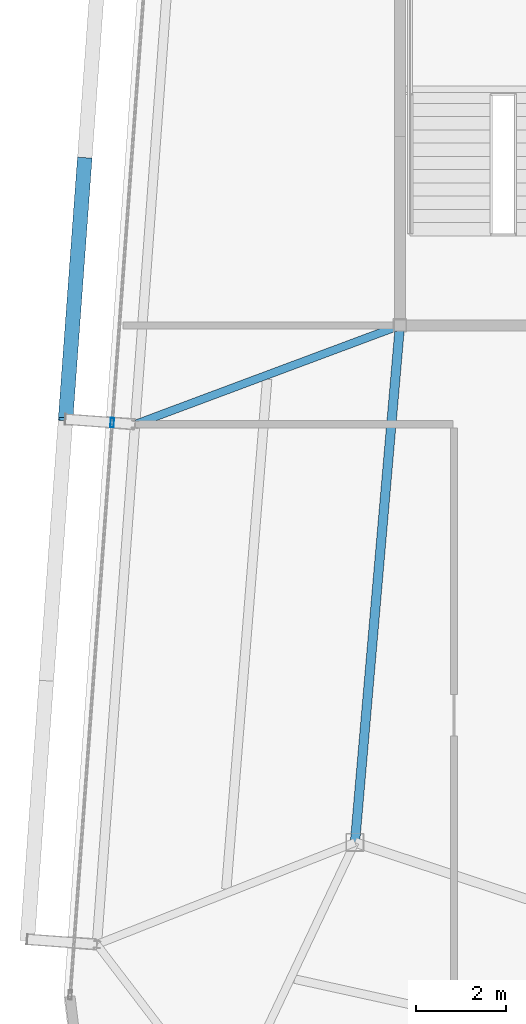
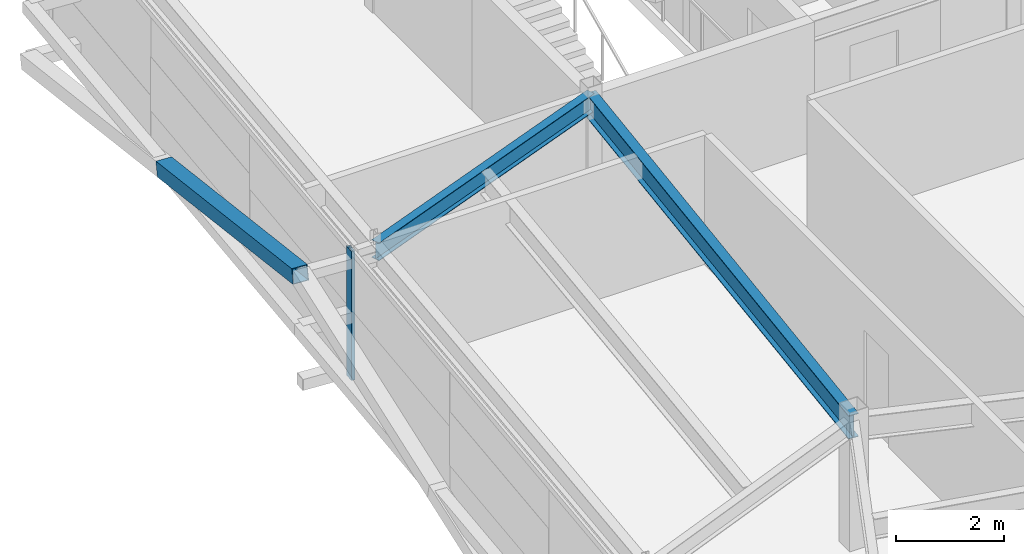
# One storey, part 13 of 35: 2 beams, 2 members, 1 element without a shape of its own.
"""IFC4 building model written with IfcOpenShell, lengths in metres."""

from ifc_helpers import new_model, si_unit, direction, frame, origin, origin_2d, place, context, subcontext, project, spatial, hollow_rectangle, i_section, extrude, source, transform, mapped, material, layer, layer_set, material_profile, profile_set, type_object, element, aggregate, save


model = new_model("IFC4")

# Units and contexts
model_context = context("Model", 3, precision=1e-05, world=origin(), true_north=direction((0.0, 1.0)))
body_context = subcontext(model_context, "Body", "Model", "MODEL_VIEW")
ifc_project = project(units=[si_unit("LENGTHUNIT", "METRE"), si_unit("AREAUNIT", "SQUARE_METRE"), si_unit("VOLUMEUNIT", "CUBIC_METRE"), si_unit("PLANEANGLEUNIT", "RADIAN"), si_unit("MASSUNIT", "GRAM", prefix="KILO")], contexts=[model_context])

# Site, building, storey
site_placement = place(None, origin())
site = spatial("IfcSite", under=ifc_project, at=site_placement, CompositionType="ELEMENT")
building_placement = place(site_placement, origin())
building = spatial("IfcBuilding", under=site, at=building_placement, Name="Taldren Reach Tower", CompositionType="ELEMENT")
storey_placement = place(building_placement, frame((0.0, 0.0, 236.60009765625)))
storey = spatial("IfcBuildingStorey", under=building, at=storey_placement, Name="L72", CompositionType="ELEMENT", Elevation=236.60009765625)

# Beams
ifc_material_1 = material(Name="Steel Gr 350 (350PLUS)", Category="steel")
ifc_material_profile_1 = material_profile(ifc_material_1, i_section(OverallWidth=0.208984375, OverallDepth=0.532958984375, WebThickness=0.01025390625, FlangeThickness=0.015625, at=origin_2d()), Name="530UB92.4")
ifc_profile_set_1 = profile_set([ifc_material_profile_1], Name="Steel Gr 350 (350PLUS)")
beam_type_1 = type_object("IfcBeamType", Name="BM-UB530A", PredefinedType="BEAM", material=ifc_profile_set_1)
shared_shape_1 = source(origin(), body_context, "Body", "SweptSolid", [
    extrude(i_section(OverallWidth=0.208984375, OverallDepth=0.532958984375, WebThickness=0.01025390625, FlangeThickness=0.015625, at=origin_2d()), origin(), (0.0, 0.0, 1.0), 11.54345703125),
])
beam_1_placement = place(storey_placement, frame((19.0, 24.0, 2.663330078125), z_axis=(-0.086629616365, -0.996240588196, 0.0), x_axis=(0.996240588196, -0.086629616365, 0.0)))
element("IfcBeam", 1, at=beam_1_placement, inside=storey, type_object=beam_type_1, Name="Core-spine girder L72-SP09", PredefinedType="BEAM", context=body_context, shape_type="MappedRepresentation", body=[
    mapped(shared_shape_1, transform((0.0, 0.0, 0.0), scale=1.0)),
])
ifc_material_profile_2 = material_profile(ifc_material_1, i_section(OverallWidth=0.177978515625, OverallDepth=0.406005859375, WebThickness=0.0078125, FlangeThickness=0.0126953125, at=origin_2d()), Name="410UB59.7")
ifc_profile_set_2 = profile_set([ifc_material_profile_2], Name="Steel Gr 350 (350PLUS)")
beam_type_2 = type_object("IfcBeamType", Name="BM-UB410", PredefinedType="BEAM", material=ifc_profile_set_2)
shared_shape_2 = source(origin(), body_context, "Body", "SweptSolid", [
    extrude(i_section(OverallWidth=0.177978515625, OverallDepth=0.406005859375, WebThickness=0.0078125, FlangeThickness=0.0126953125, at=origin_2d()), origin(), (0.0, 0.0, 1.0), 6.28857421875),
])
beam_2_placement = place(storey_placement, frame((19.0, 24.0, 2.726806640625), z_axis=(-0.936827605945, -0.349791418904, 0.0), x_axis=(0.349791418904, -0.936827605945, 0.0)))
element("IfcBeam", 2, at=beam_2_placement, inside=storey, type_object=beam_type_2, Name="Primary floor girder B5-W2 L72", PredefinedType="BEAM", context=body_context, shape_type="MappedRepresentation", body=[
    mapped(shared_shape_2, transform((0.0, 0.0, 0.0), scale=1.0)),
])

# Member
ifc_material_2 = material(Name="Steel Gr 450 (C450L0)", Category="steel")
ifc_material_profile_3 = material_profile(ifc_material_2, hollow_rectangle(XDim=0.324951171875, YDim=0.324951171875, WallThickness=0.0126953125, at=origin_2d()), Name="325x325x12.7SHS")
ifc_profile_set_3 = profile_set([ifc_material_profile_3], Name="Steel Gr 450 (C450L0)")
member_type_1 = type_object("IfcMemberType", Name="MB-BR324", PredefinedType="BRACE", material=ifc_profile_set_3)
shared_shape_3 = source(origin(), body_context, "Body", "SweptSolid", [
    extrude(hollow_rectangle(XDim=0.324951171875, YDim=0.324951171875, WallThickness=0.0126953125, at=origin_2d()), origin(), (0.0, 0.0, 1.0), 5.926025390625),
])
member_1_placement = place(storey_placement, frame((11.987548828125, 27.6982421875, 1.434814453125), z_axis=(-0.071685935393, -0.976123486939, 0.205046494513), x_axis=(0.997314185625, -0.073242167855, 0.0)))
element("IfcMember", 3, at=member_1_placement, inside=storey, type_object=member_type_1, Name="Exoskeleton Diagrid Brace B5-W2 L72", PredefinedType="BRACE", context=body_context, shape_type="MappedRepresentation", body=[
    mapped(shared_shape_3, transform((0.0, 0.0, 0.0), scale=1.0)),
])

# Curtain wall, member
ifc_material_3 = material(Name="Aluminium and Low-E Glass Unitised System", Category="aluminium")
ifc_layer = layer(ifc_material_3, 0.159912109375)
ifc_layer_set = layer_set([ifc_layer], Name="Aluminium and Low-E Glass Unitised System")
curtain_wall_type = type_object("IfcCurtainWallType", Name="CW-SYS-6", PredefinedType="NOTDEFINED", material=ifc_layer_set)
curtain_wall_placement = place(storey_placement, origin())
curtain_wall = element("IfcCurtainWall", 4, at=curtain_wall_placement, inside=storey, type_object=curtain_wall_type, Name="Unitised curtain wall CW-L72-W", PredefinedType="NOTDEFINED")
ifc_material_4 = material(Name="Anodised Aluminium 6063-T6", Category="aluminium")
ifc_material_profile_4 = material_profile(ifc_material_4, hollow_rectangle(XDim=0.074951171875, YDim=0.2099609375, WallThickness=0.00439453125, at=origin_2d()), Name="ALU-210x75x4.5RHS")
ifc_profile_set_4 = profile_set([ifc_material_profile_4], Name="Anodised Aluminium 6063-T6")
member_type_2 = type_object("IfcMemberType", Name="CW-MUL-200", PredefinedType="MULLION", material=ifc_profile_set_4)
shared_shape_4 = source(origin(), body_context, "Body", "SweptSolid", [
    extrude(hollow_rectangle(XDim=0.074951171875, YDim=0.2099609375, WallThickness=0.00439453125, at=origin_2d()), origin(), (0.0, 0.0, 1.0), 2.929931640625),
])
member_2_placement = place(storey_placement, frame((12.60009765625, 21.837646484375, 0.0), z_axis=(0.0, 0.0, 1.0), x_axis=(0.997314470951, -0.073238282558, 0.0)))
member_2 = element("IfcMember", 5, at=member_2_placement, type_object=member_type_2, Name="CW-6 mullion 2", PredefinedType="MULLION", context=body_context, shape_type="MappedRepresentation", body=[
    mapped(shared_shape_4, transform((0.0, 0.0, 0.0), scale=1.0)),
])
aggregate(curtain_wall, [member_2])

save(model, "model.ifc")
